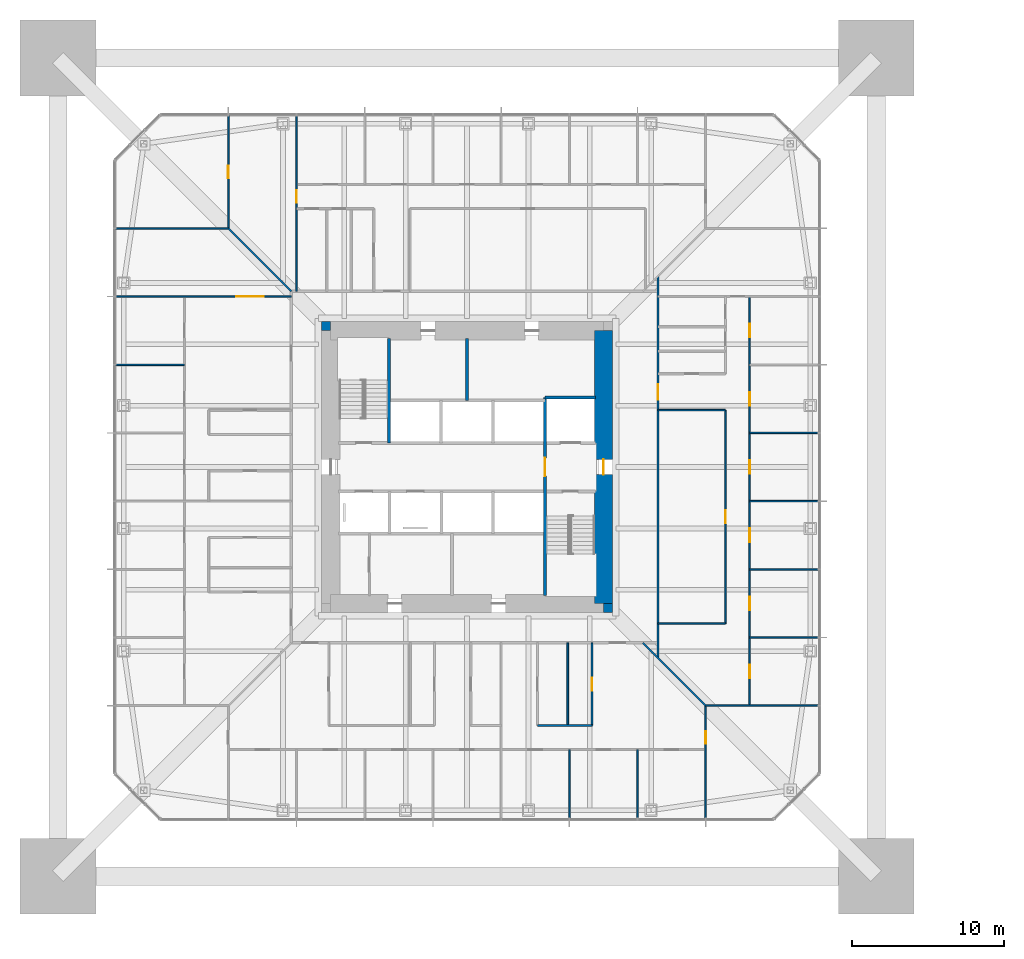
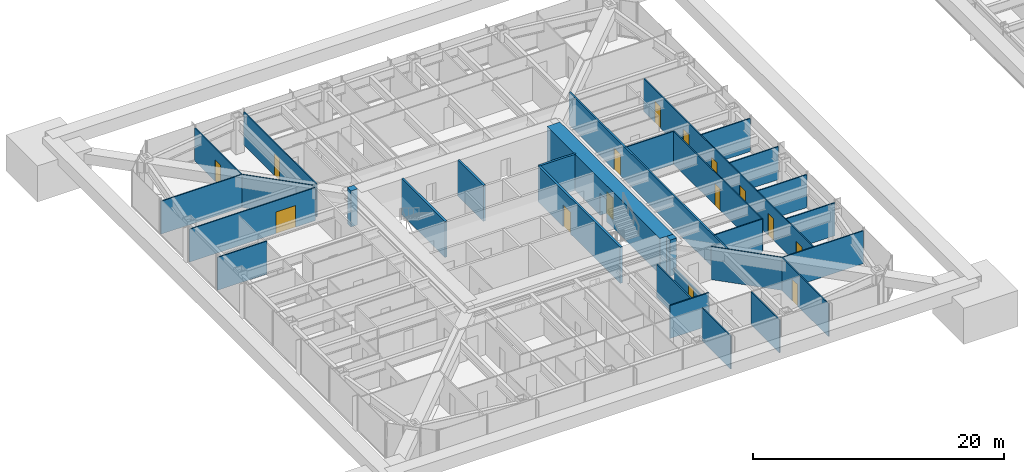
# One storey, part 22 of 32: 30 walls, 15 doors, 15 openings.
"""IFC4 building model written with IfcOpenShell, lengths in metres."""

from ifc_helpers import new_model, si_unit, direction, frame, frame_2d, origin, place, context, subcontext, project, spatial, rectangle, extrude, material, layer, layer_set, type_object, element, fill, save


model = new_model("IFC4")

# Units and contexts
model_context = context("Model", 3, precision=1e-05, world=origin(), true_north=direction((0.0, 1.0)))
body_context = subcontext(model_context, "Body", "Model", "MODEL_VIEW")
ifc_project = project(units=[si_unit("LENGTHUNIT", "METRE"), si_unit("AREAUNIT", "SQUARE_METRE"), si_unit("VOLUMEUNIT", "CUBIC_METRE"), si_unit("PLANEANGLEUNIT", "RADIAN"), si_unit("MASSUNIT", "GRAM", prefix="KILO")], contexts=[model_context])

# Site, building, storey
site_placement = place(None, origin())
site = spatial("IfcSite", under=ifc_project, at=site_placement, CompositionType="ELEMENT")
building_placement = place(site_placement, origin())
building = spatial("IfcBuilding", under=site, at=building_placement, Name="Iwan Alto Co-Living Towers", CompositionType="ELEMENT")
storey_placement = place(building_placement, frame((0.0, 0.0, 71.0)))
storey = spatial("IfcBuildingStorey", under=building, at=storey_placement, Name="L19", CompositionType="ELEMENT", Elevation=71.0)

# Wall, opening, door
ifc_material_1 = material(Name="Gypsum board")
ifc_layer_1 = layer(ifc_material_1, 0.02490234375, Name="Board", Category="Finish")
ifc_material_2 = material(Name="Steel ASTM A1003 ST33H cold-formed studs", Category="steel")
ifc_layer_2 = layer(ifc_material_2, 0.10009765625, Name="Studs", Category="Framing")
ifc_layer_3 = layer(ifc_material_1, 0.02490234375, Name="Board", Category="Finish")
ifc_layer_set_1 = layer_set([ifc_layer_1, ifc_layer_2, ifc_layer_3], Name="CORRIDOR WALL 150")
wall_type_1 = type_object("IfcWallType", Name="CORRIDOR WALL 150", PredefinedType="PARTITIONING", material=ifc_layer_set_1)
wall_1_placement = place(storey_placement, frame((12.60009765625, -12.60009765625, 0.0), z_axis=(0.0, 0.0, 1.0), x_axis=(0.0, 1.0, 0.0)))
wall_1 = element("IfcWall", 1, at=wall_1_placement, inside=storey, type_object=wall_type_1, Name="Partition L19", PredefinedType="PARTITIONING", context=body_context, shape_type="SweptSolid", body=[
    extrude(rectangle(XDim=25.2001953125, YDim=0.14990234375, at=frame_2d((12.60009765625, 0.0))), origin(), (0.0, 0.0, 1.0), 3.199951171875),
])
opening_1_placement = place(wall_1_placement, frame((17.050048828125, 0.0, 0.0)))
opening_1 = element("IfcOpeningElement", 2, at=opening_1_placement, cuts=wall_1, Name="Opening D3", PredefinedType="OPENING", context=body_context, shape_type="SweptSolid", body=[
    extrude(rectangle(XDim=1.0, YDim=2.10009765625, at=frame_2d((0.5, 1.050048828125))), frame((0.0, 0.0849609375, 0.0), z_axis=(0.0, -1.0, 0.0), x_axis=(1.0, 0.0, 0.0)), (0.0, 0.0, 1.0), 0.169921875),
])
ifc_material_3 = material(Name="Steel frame with timber leaf", Category="steel")
door_type_1 = type_object("IfcDoorType", Name="FLAT ENTRANCE DOOR FD30S 1000X2100", OperationType="SINGLE_SWING_LEFT", PredefinedType="DOOR", material=ifc_material_3)
door_1_placement = place(opening_1_placement, frame((1.0, 0.0, 0.0), z_axis=(0.0, 0.0, 1.0), x_axis=(-1.0, 0.0, 0.0)))
door_1 = element("IfcDoor", 3, at=door_1_placement, inside=storey, type_object=door_type_1, Name="Cluster lounge and shared kitchen door L19", OperationType="SINGLE_SWING_RIGHT", OverallHeight=2.10009765625, OverallWidth=1.0, PredefinedType="DOOR", context=body_context, shape_type="SweptSolid", body=[
    extrude(rectangle(XDim=1.0, YDim=2.10009765625, at=frame_2d((0.5, 1.050048828125))), frame((0.0, 0.02490234375, 0.0), z_axis=(0.0, -1.0, 0.0), x_axis=(1.0, 0.0, 0.0)), (0.0, 0.0, 1.0), 0.050048828125),
])
fill(opening_1, door_1)

# Walls
ifc_layer_4 = layer(ifc_material_1, 0.012451171875, Name="Board", Category="Finish")
ifc_layer_5 = layer(ifc_material_2, 0.074951171875, Name="Studs", Category="Framing")
ifc_layer_6 = layer(ifc_material_1, 0.012451171875, Name="Board", Category="Finish")
ifc_layer_set_2 = layer_set([ifc_layer_4, ifc_layer_5, ifc_layer_6], Name="PARTITION 100")
wall_type_2 = type_object("IfcWallType", Name="PARTITION 100", PredefinedType="PARTITIONING", material=ifc_layer_set_2)
wall_2_placement = place(storey_placement, frame((15.75, -15.75, 0.0), z_axis=(0.0, 0.0, 1.0), x_axis=(1.0, 0.0, 0.0)))
element("IfcWall", 4, at=wall_2_placement, inside=storey, type_object=wall_type_2, Name="Partition L19", PredefinedType="PARTITIONING", context=body_context, shape_type="SweptSolid", body=[
    extrude(rectangle(XDim=7.43994140625, YDim=0.10009765625, at=frame_2d((3.719970703125, 0.0))), origin(), (0.0, 0.0, 1.0), 3.199951171875),
])
wall_3_placement = place(storey_placement, frame((18.64990234375, -11.25, 0.0), z_axis=(0.0, 0.0, 1.0), x_axis=(1.0, 0.0, 0.0)))
element("IfcWall", 5, at=wall_3_placement, inside=storey, type_object=wall_type_2, Name="Partition L19", PredefinedType="PARTITIONING", context=body_context, shape_type="SweptSolid", body=[
    extrude(rectangle(XDim=4.5400390625, YDim=0.10009765625, at=frame_2d((2.27001953125, 0.0))), origin(), (0.0, 0.0, 1.0), 3.199951171875),
])
wall_4_placement = place(storey_placement, frame((12.60009765625, -10.330078125, 0.0), z_axis=(0.0, 0.0, 1.0), x_axis=(1.0, 0.0, 0.0)))
element("IfcWall", 6, at=wall_4_placement, inside=storey, type_object=wall_type_2, Name="Partition L19", PredefinedType="PARTITIONING", context=body_context, shape_type="SweptSolid", body=[
    extrude(rectangle(XDim=4.449951171875, YDim=0.10009765625, at=frame_2d((2.22509765625, 0.0))), origin(), (0.0, 0.0, 1.0), 3.199951171875),
])
for number, where, z_axis, x_axis, name in (
    (7, (18.64990234375, -6.75, 0.0), (0.0, 0.0, 1.0), (1.0, 0.0, 0.0), "Partition L19"),
    (8, (18.64990234375, -2.25, 0.0), (0.0, 0.0, 1.0), (1.0, 0.0, 0.0), "Partition L19"),
    (9, (18.64990234375, 2.25, 0.0), (0.0, 0.0, 1.0), (1.0, 0.0, 0.0), "Partition L19"),
):
    element("IfcWall", number, at=place(storey_placement, frame(where, z_axis=z_axis, x_axis=x_axis)), inside=storey, type_object=wall_type_2, Name=name, PredefinedType="PARTITIONING", context=body_context, shape_type="SweptSolid", body=[
        extrude(rectangle(XDim=4.5400390625, YDim=0.10009765625, at=frame_2d((2.27001953125, 0.0))), origin(), (0.0, 0.0, 1.0), 3.199951171875),
    ])
wall_5_placement = place(storey_placement, frame((12.60009765625, 3.75, 0.0), z_axis=(0.0, 0.0, 1.0), x_axis=(1.0, 0.0, 0.0)))
element("IfcWall", 10, at=wall_5_placement, inside=storey, type_object=wall_type_2, Name="Partition L19", PredefinedType="PARTITIONING", context=body_context, shape_type="SweptSolid", body=[
    extrude(rectangle(XDim=4.449951171875, YDim=0.10009765625, at=frame_2d((2.22509765625, 0.0))), origin(), (0.0, 0.0, 1.0), 3.199951171875),
])
wall_6_placement = place(storey_placement, frame((-23.18994140625, 6.75, 0.0), z_axis=(0.0, 0.0, 1.0), x_axis=(1.0, 0.0, 0.0)))
element("IfcWall", 11, at=wall_6_placement, inside=storey, type_object=wall_type_2, Name="Partition L19", PredefinedType="PARTITIONING", context=body_context, shape_type="SweptSolid", body=[
    extrude(rectangle(XDim=4.5400390625, YDim=0.10009765625, at=frame_2d((2.27001953125, 0.0))), origin(), (0.0, 0.0, 1.0), 3.199951171875),
])

# Wall, opening, door
wall_7_placement = place(storey_placement, frame((-23.18994140625, 11.25, 0.0), z_axis=(0.0, 0.0, 1.0), x_axis=(1.0, 0.0, 0.0)))
wall_7 = element("IfcWall", 12, at=wall_7_placement, inside=storey, type_object=wall_type_2, Name="Partition L19", PredefinedType="PARTITIONING", context=body_context, shape_type="SweptSolid", body=[
    extrude(rectangle(XDim=11.58984375, YDim=0.10009765625, at=frame_2d((5.794921875, 0.0))), origin(), (0.0, 0.0, 1.0), 3.199951171875),
])
opening_2_placement = place(wall_7_placement, frame((7.965087890625, 0.0, 0.0)))
opening_2 = element("IfcOpeningElement", 13, at=opening_2_placement, cuts=wall_7, Name="Opening D14", PredefinedType="OPENING", context=body_context, shape_type="SweptSolid", body=[
    extrude(rectangle(XDim=1.800048828125, YDim=2.10009765625, at=frame_2d((0.89990234375, 1.050048828125))), frame((0.0, 0.06005859375, 0.0), z_axis=(0.0, -1.0, 0.0), x_axis=(1.0, 0.0, 0.0)), (0.0, 0.0, 1.0), 0.1201171875),
])
ifc_material_4 = material(Name="Timber leaf in steel frame", Category="steel")
door_type_2 = type_object("IfcDoorType", Name="LOUNGE DOOR 1800X2100", OperationType="DOUBLE_DOOR_SINGLE_SWING", PredefinedType="DOOR", material=ifc_material_4)
door_2_placement = place(opening_2_placement, frame((1.800048828125, 0.0, 0.0), z_axis=(0.0, 0.0, 1.0), x_axis=(-1.0, 0.0, 0.0)))
door_2 = element("IfcDoor", 14, at=door_2_placement, inside=storey, type_object=door_type_2, Name="Seminar room door L19", OperationType="DOUBLE_DOOR_SINGLE_SWING", OverallHeight=2.10009765625, OverallWidth=1.800048828125, PredefinedType="DOOR", context=body_context, shape_type="SweptSolid", body=[
    extrude(rectangle(XDim=1.800048828125, YDim=2.10009765625, at=frame_2d((0.89990234375, 1.050048828125))), frame((0.0, 0.02490234375, 0.0), z_axis=(0.0, -1.0, 0.0), x_axis=(1.0, 0.0, 0.0)), (0.0, 0.0, 1.0), 0.050048828125),
])
fill(opening_2, door_2)

# Wall
wall_8_placement = place(storey_placement, frame((-23.18994140625, 15.75, 0.0), z_axis=(0.0, 0.0, 1.0), x_axis=(1.0, 0.0, 0.0)))
element("IfcWall", 15, at=wall_8_placement, inside=storey, type_object=wall_type_2, Name="Partition L19", PredefinedType="PARTITIONING", context=body_context, shape_type="SweptSolid", body=[
    extrude(rectangle(XDim=7.43994140625, YDim=0.10009765625, at=frame_2d((3.719970703125, 0.0))), origin(), (0.0, 0.0, 1.0), 3.199951171875),
])

# Wall, openings, doors
wall_9_placement = place(storey_placement, frame((18.64990234375, -15.75, 0.0), z_axis=(0.0, 0.0, 1.0), x_axis=(0.0, 1.0, 0.0)))
wall_9 = element("IfcWall", 16, at=wall_9_placement, inside=storey, type_object=wall_type_2, Name="Partition L19", PredefinedType="PARTITIONING", context=body_context, shape_type="SweptSolid", body=[
    extrude(rectangle(XDim=27.0, YDim=0.10009765625, at=frame_2d((13.5, 0.0))), origin(), (0.0, 0.0, 1.0), 3.199951171875),
])
opening_3_placement = place(wall_9_placement, frame((1.800048828125, 0.0, 0.0)))
opening_3 = element("IfcOpeningElement", 17, at=opening_3_placement, cuts=wall_9, Name="Opening D1", PredefinedType="OPENING", context=body_context, shape_type="SweptSolid", body=[
    extrude(rectangle(XDim=0.89990234375, YDim=2.10009765625, at=frame_2d((0.449951171875, 1.050048828125))), frame((0.0, 0.06005859375, 0.0), z_axis=(0.0, -1.0, 0.0), x_axis=(1.0, 0.0, 0.0)), (0.0, 0.0, 1.0), 0.1201171875),
])
opening_4_placement = place(wall_9_placement, frame((6.300048828125, 0.0, 0.0)))
opening_4 = element("IfcOpeningElement", 18, at=opening_4_placement, cuts=wall_9, Name="Opening D1", PredefinedType="OPENING", context=body_context, shape_type="SweptSolid", body=[
    extrude(rectangle(XDim=0.89990234375, YDim=2.10009765625, at=frame_2d((0.449951171875, 1.050048828125))), frame((0.0, 0.06005859375, 0.0), z_axis=(0.0, -1.0, 0.0), x_axis=(1.0, 0.0, 0.0)), (0.0, 0.0, 1.0), 0.1201171875),
])
opening_5_placement = place(wall_9_placement, frame((10.800048828125, 0.0, 0.0)))
opening_5 = element("IfcOpeningElement", 19, at=opening_5_placement, cuts=wall_9, Name="Opening D1", PredefinedType="OPENING", context=body_context, shape_type="SweptSolid", body=[
    extrude(rectangle(XDim=0.89990234375, YDim=2.10009765625, at=frame_2d((0.449951171875, 1.050048828125))), frame((0.0, 0.06005859375, 0.0), z_axis=(0.0, -1.0, 0.0), x_axis=(1.0, 0.0, 0.0)), (0.0, 0.0, 1.0), 0.1201171875),
])
opening_6_placement = place(wall_9_placement, frame((15.300048828125, 0.0, 0.0)))
opening_6 = element("IfcOpeningElement", 20, at=opening_6_placement, cuts=wall_9, Name="Opening D1", PredefinedType="OPENING", context=body_context, shape_type="SweptSolid", body=[
    extrude(rectangle(XDim=0.89990234375, YDim=2.10009765625, at=frame_2d((0.449951171875, 1.050048828125))), frame((0.0, 0.06005859375, 0.0), z_axis=(0.0, -1.0, 0.0), x_axis=(1.0, 0.0, 0.0)), (0.0, 0.0, 1.0), 0.1201171875),
])
opening_7_placement = place(wall_9_placement, frame((19.800048828125, 0.0, 0.0)))
opening_7 = element("IfcOpeningElement", 21, at=opening_7_placement, cuts=wall_9, Name="Opening D1", PredefinedType="OPENING", context=body_context, shape_type="SweptSolid", body=[
    extrude(rectangle(XDim=0.89990234375, YDim=2.10009765625, at=frame_2d((0.449951171875, 1.050048828125))), frame((0.0, 0.06005859375, 0.0), z_axis=(0.0, -1.0, 0.0), x_axis=(1.0, 0.0, 0.0)), (0.0, 0.0, 1.0), 0.1201171875),
])
opening_8_placement = place(wall_9_placement, frame((24.300048828125, 0.0, 0.0)))
opening_8 = element("IfcOpeningElement", 22, at=opening_8_placement, cuts=wall_9, Name="Opening D1", PredefinedType="OPENING", context=body_context, shape_type="SweptSolid", body=[
    extrude(rectangle(XDim=0.89990234375, YDim=2.10009765625, at=frame_2d((0.449951171875, 1.050048828125))), frame((0.0, 0.06005859375, 0.0), z_axis=(0.0, -1.0, 0.0), x_axis=(1.0, 0.0, 0.0)), (0.0, 0.0, 1.0), 0.1201171875),
])
ifc_material_5 = material(Name="Timber leaf in steel frame", Category="steel")
door_type_3 = type_object("IfcDoorType", Name="BEDROOM DOOR 900X2100", OperationType="SINGLE_SWING_LEFT", PredefinedType="DOOR", material=ifc_material_5)
door_3_placement = place(opening_3_placement, origin())
door_3 = element("IfcDoor", 23, at=door_3_placement, inside=storey, type_object=door_type_3, Name="Study bedroom door L19", OperationType="SINGLE_SWING_LEFT", OverallHeight=2.10009765625, OverallWidth=0.89990234375, PredefinedType="DOOR", context=body_context, shape_type="SweptSolid", body=[
    extrude(rectangle(XDim=0.89990234375, YDim=2.10009765625, at=frame_2d((0.449951171875, 1.050048828125))), frame((0.0, 0.02490234375, 0.0), z_axis=(0.0, -1.0, 0.0), x_axis=(1.0, 0.0, 0.0)), (0.0, 0.0, 1.0), 0.050048828125),
])
fill(opening_3, door_3)
door_4_placement = place(opening_4_placement, origin())
door_4 = element("IfcDoor", 24, at=door_4_placement, inside=storey, type_object=door_type_3, Name="Study bedroom door L19", OperationType="SINGLE_SWING_LEFT", OverallHeight=2.10009765625, OverallWidth=0.89990234375, PredefinedType="DOOR", context=body_context, shape_type="SweptSolid", body=[
    extrude(rectangle(XDim=0.89990234375, YDim=2.10009765625, at=frame_2d((0.449951171875, 1.050048828125))), frame((0.0, 0.02490234375, 0.0), z_axis=(0.0, -1.0, 0.0), x_axis=(1.0, 0.0, 0.0)), (0.0, 0.0, 1.0), 0.050048828125),
])
fill(opening_4, door_4)
door_5_placement = place(opening_5_placement, origin())
door_5 = element("IfcDoor", 25, at=door_5_placement, inside=storey, type_object=door_type_3, Name="Study bedroom door L19", OperationType="SINGLE_SWING_LEFT", OverallHeight=2.10009765625, OverallWidth=0.89990234375, PredefinedType="DOOR", context=body_context, shape_type="SweptSolid", body=[
    extrude(rectangle(XDim=0.89990234375, YDim=2.10009765625, at=frame_2d((0.449951171875, 1.050048828125))), frame((0.0, 0.02490234375, 0.0), z_axis=(0.0, -1.0, 0.0), x_axis=(1.0, 0.0, 0.0)), (0.0, 0.0, 1.0), 0.050048828125),
])
fill(opening_5, door_5)
door_6_placement = place(opening_6_placement, origin())
door_6 = element("IfcDoor", 26, at=door_6_placement, inside=storey, type_object=door_type_3, Name="Study bedroom door L19", OperationType="SINGLE_SWING_RIGHT", OverallHeight=2.10009765625, OverallWidth=0.89990234375, PredefinedType="DOOR", context=body_context, shape_type="SweptSolid", body=[
    extrude(rectangle(XDim=0.89990234375, YDim=2.10009765625, at=frame_2d((0.449951171875, 1.050048828125))), frame((0.0, 0.02490234375, 0.0), z_axis=(0.0, -1.0, 0.0), x_axis=(1.0, 0.0, 0.0)), (0.0, 0.0, 1.0), 0.050048828125),
])
fill(opening_6, door_6)
door_7_placement = place(opening_7_placement, origin())
door_7 = element("IfcDoor", 27, at=door_7_placement, inside=storey, type_object=door_type_3, Name="Study bedroom door L19", OperationType="SINGLE_SWING_RIGHT", OverallHeight=2.10009765625, OverallWidth=0.89990234375, PredefinedType="DOOR", context=body_context, shape_type="SweptSolid", body=[
    extrude(rectangle(XDim=0.89990234375, YDim=2.10009765625, at=frame_2d((0.449951171875, 1.050048828125))), frame((0.0, 0.02490234375, 0.0), z_axis=(0.0, -1.0, 0.0), x_axis=(1.0, 0.0, 0.0)), (0.0, 0.0, 1.0), 0.050048828125),
])
fill(opening_7, door_7)
door_8_placement = place(opening_8_placement, origin())
door_8 = element("IfcDoor", 28, at=door_8_placement, inside=storey, type_object=door_type_3, Name="Study bedroom door L19", OperationType="SINGLE_SWING_RIGHT", OverallHeight=2.10009765625, OverallWidth=0.89990234375, PredefinedType="DOOR", context=body_context, shape_type="SweptSolid", body=[
    extrude(rectangle(XDim=0.89990234375, YDim=2.10009765625, at=frame_2d((0.449951171875, 1.050048828125))), frame((0.0, 0.02490234375, 0.0), z_axis=(0.0, -1.0, 0.0), x_axis=(1.0, 0.0, 0.0)), (0.0, 0.0, 1.0), 0.050048828125),
])
fill(opening_8, door_8)

# Wall, opening, door
wall_10_placement = place(storey_placement, frame((17.050048828125, -10.330078125, 0.0), z_axis=(0.0, 0.0, 1.0), x_axis=(0.0, 1.0, 0.0)))
wall_10 = element("IfcWall", 29, at=wall_10_placement, inside=storey, type_object=wall_type_2, Name="Partition L19", PredefinedType="PARTITIONING", context=body_context, shape_type="SweptSolid", body=[
    extrude(rectangle(XDim=14.080078125, YDim=0.10009765625, at=frame_2d((7.0400390625, 0.0))), origin(), (0.0, 0.0, 1.0), 3.199951171875),
])
opening_9_placement = place(wall_10_placement, frame((6.614990234375, 0.0, 0.0)))
opening_9 = element("IfcOpeningElement", 30, at=opening_9_placement, cuts=wall_10, Name="Opening D2", PredefinedType="OPENING", context=body_context, shape_type="SweptSolid", body=[
    extrude(rectangle(XDim=0.85009765625, YDim=2.10009765625, at=frame_2d((0.425048828125, 1.050048828125))), frame((0.0, 0.06005859375, 0.0), z_axis=(0.0, -1.0, 0.0), x_axis=(1.0, 0.0, 0.0)), (0.0, 0.0, 1.0), 0.1201171875),
])
ifc_material_6 = material(Name="Timber leaf in steel frame", Category="steel")
door_type_4 = type_object("IfcDoorType", Name="ROOM DOOR 850X2100", OperationType="SINGLE_SWING_LEFT", PredefinedType="DOOR", material=ifc_material_6)
door_9_placement = place(opening_9_placement, frame((0.85009765625, 0.0, 0.0), z_axis=(0.0, 0.0, 1.0), x_axis=(-1.0, 0.0, 0.0)))
door_9 = element("IfcDoor", 31, at=door_9_placement, inside=storey, type_object=door_type_4, Name="Study lounge door L19", OperationType="SINGLE_SWING_RIGHT", OverallHeight=2.10009765625, OverallWidth=0.85009765625, PredefinedType="DOOR", context=body_context, shape_type="SweptSolid", body=[
    extrude(rectangle(XDim=0.85009765625, YDim=2.10009765625, at=frame_2d((0.425048828125, 1.050048828125))), frame((0.0, 0.02490234375, 0.0), z_axis=(0.0, -1.0, 0.0), x_axis=(1.0, 0.0, 0.0)), (0.0, 0.0, 1.0), 0.050048828125),
])
fill(opening_9, door_9)

wall_11_placement = place(storey_placement, frame((15.75, -23.18994140625, 0.0), z_axis=(0.0, 0.0, 1.0), x_axis=(0.0, 1.0, 0.0)))
wall_11 = element("IfcWall", 32, at=wall_11_placement, inside=storey, type_object=wall_type_2, Name="Partition L19", PredefinedType="PARTITIONING", context=body_context, shape_type="SweptSolid", body=[
    extrude(rectangle(XDim=7.43994140625, YDim=0.10009765625, at=frame_2d((3.719970703125, 0.0))), origin(), (0.0, 0.0, 1.0), 3.199951171875),
])
opening_10_placement = place(wall_11_placement, frame((4.9150390625, 0.0, 0.0)))
opening_10 = element("IfcOpeningElement", 33, at=opening_10_placement, cuts=wall_11, Name="Opening D2", PredefinedType="OPENING", context=body_context, shape_type="SweptSolid", body=[
    extrude(rectangle(XDim=0.85009765625, YDim=2.10009765625, at=frame_2d((0.425048828125, 1.050048828125))), frame((0.0, 0.06005859375, 0.0), z_axis=(0.0, -1.0, 0.0), x_axis=(1.0, 0.0, 0.0)), (0.0, 0.0, 1.0), 0.1201171875),
])
door_10_placement = place(opening_10_placement, origin())
door_10 = element("IfcDoor", 34, at=door_10_placement, inside=storey, type_object=door_type_4, Name="Shared kitchen and dining room door L19", OperationType="SINGLE_SWING_LEFT", OverallHeight=2.10009765625, OverallWidth=0.85009765625, PredefinedType="DOOR", context=body_context, shape_type="SweptSolid", body=[
    extrude(rectangle(XDim=0.85009765625, YDim=2.10009765625, at=frame_2d((0.425048828125, 1.050048828125))), frame((0.0, 0.02490234375, 0.0), z_axis=(0.0, -1.0, 0.0), x_axis=(1.0, 0.0, 0.0)), (0.0, 0.0, 1.0), 0.050048828125),
])
fill(opening_10, door_10)

# Walls
for number, where, z_axis, x_axis, name in (
    (35, (11.25, -23.18994140625, 0.0), (0.0, 0.0, 1.0), (0.0, 1.0, 0.0), "Partition L19"),
    (36, (6.75, -23.18994140625, 0.0), (0.0, 0.0, 1.0), (0.0, 1.0, 0.0), "Partition L19"),
):
    element("IfcWall", number, at=place(storey_placement, frame(where, z_axis=z_axis, x_axis=x_axis)), inside=storey, type_object=wall_type_2, Name=name, PredefinedType="PARTITIONING", context=body_context, shape_type="SweptSolid", body=[
        extrude(rectangle(XDim=4.5400390625, YDim=0.10009765625, at=frame_2d((2.27001953125, 0.0))), origin(), (0.0, 0.0, 1.0), 3.199951171875),
    ])

# Wall, opening, door
wall_12_placement = place(storey_placement, frame((-11.25, 11.60009765625, 0.0), z_axis=(0.0, 0.0, 1.0), x_axis=(0.0, 1.0, 0.0)))
wall_12 = element("IfcWall", 37, at=wall_12_placement, inside=storey, type_object=wall_type_2, Name="Partition L19", PredefinedType="PARTITIONING", context=body_context, shape_type="SweptSolid", body=[
    extrude(rectangle(XDim=11.58984375, YDim=0.10009765625, at=frame_2d((5.794921875, 0.0))), origin(), (0.0, 0.0, 1.0), 3.199951171875),
])
opening_11_placement = place(wall_12_placement, frame((5.824951171875, 0.0, 0.0)))
opening_11 = element("IfcOpeningElement", 38, at=opening_11_placement, cuts=wall_12, Name="Opening D2", PredefinedType="OPENING", context=body_context, shape_type="SweptSolid", body=[
    extrude(rectangle(XDim=0.85009765625, YDim=2.10009765625, at=frame_2d((0.425048828125, 1.050048828125))), frame((0.0, 0.06005859375, 0.0), z_axis=(0.0, -1.0, 0.0), x_axis=(1.0, 0.0, 0.0)), (0.0, 0.0, 1.0), 0.1201171875),
])
door_11_placement = place(opening_11_placement, frame((0.85009765625, 0.0, 0.0), z_axis=(0.0, 0.0, 1.0), x_axis=(-1.0, 0.0, 0.0)))
door_11 = element("IfcDoor", 39, at=door_11_placement, inside=storey, type_object=door_type_4, Name="Seminar room door L19", OperationType="SINGLE_SWING_RIGHT", OverallHeight=2.10009765625, OverallWidth=0.85009765625, PredefinedType="DOOR", context=body_context, shape_type="SweptSolid", body=[
    extrude(rectangle(XDim=0.85009765625, YDim=2.10009765625, at=frame_2d((0.425048828125, 1.050048828125))), frame((0.0, 0.02490234375, 0.0), z_axis=(0.0, -1.0, 0.0), x_axis=(1.0, 0.0, 0.0)), (0.0, 0.0, 1.0), 0.050048828125),
])
fill(opening_11, door_11)

wall_13_placement = place(storey_placement, frame((-15.75, 15.75, 0.0), z_axis=(0.0, 0.0, 1.0), x_axis=(0.0, 1.0, 0.0)))
wall_13 = element("IfcWall", 40, at=wall_13_placement, inside=storey, type_object=wall_type_2, Name="Partition L19", PredefinedType="PARTITIONING", context=body_context, shape_type="SweptSolid", body=[
    extrude(rectangle(XDim=7.43994140625, YDim=0.10009765625, at=frame_2d((3.719970703125, 0.0))), origin(), (0.0, 0.0, 1.0), 3.199951171875),
])
opening_12_placement = place(wall_13_placement, frame((3.294921875, 0.0, 0.0)))
opening_12 = element("IfcOpeningElement", 41, at=opening_12_placement, cuts=wall_13, Name="Opening D2", PredefinedType="OPENING", context=body_context, shape_type="SweptSolid", body=[
    extrude(rectangle(XDim=0.85009765625, YDim=2.10009765625, at=frame_2d((0.425048828125, 1.050048828125))), frame((0.0, 0.06005859375, 0.0), z_axis=(0.0, -1.0, 0.0), x_axis=(1.0, 0.0, 0.0)), (0.0, 0.0, 1.0), 0.1201171875),
])
door_12_placement = place(opening_12_placement, origin())
door_12 = element("IfcDoor", 42, at=door_12_placement, inside=storey, type_object=door_type_4, Name="Shared kitchen and dining room door L19", OperationType="SINGLE_SWING_LEFT", OverallHeight=2.10009765625, OverallWidth=0.85009765625, PredefinedType="DOOR", context=body_context, shape_type="SweptSolid", body=[
    extrude(rectangle(XDim=0.85009765625, YDim=2.10009765625, at=frame_2d((0.425048828125, 1.050048828125))), frame((0.0, 0.02490234375, 0.0), z_axis=(0.0, -1.0, 0.0), x_axis=(1.0, 0.0, 0.0)), (0.0, 0.0, 1.0), 0.050048828125),
])
fill(opening_12, door_12)

# Walls
for number, where, z_axis, x_axis, name in (
    (43, (15.75, -15.75, 0.0), (0.0, 0.0, 1.0), (-0.707106781187, 0.707106781187, 0.0), "Partition L19"),
    (44, (-11.60009765625, 11.60009765625, 0.0), (0.0, 0.0, 1.0), (-0.707106781187, 0.707106781187, 0.0), "Partition L19"),
):
    element("IfcWall", number, at=place(storey_placement, frame(where, z_axis=z_axis, x_axis=x_axis)), inside=storey, type_object=wall_type_2, Name=name, PredefinedType="PARTITIONING", context=body_context, shape_type="SweptSolid", body=[
        extrude(rectangle(XDim=5.868896484375, YDim=0.10009765625, at=frame_2d((2.9345703125, 0.0))), origin(), (0.0, 0.0, 1.0), 3.199951171875),
    ])
ifc_material_7 = material(Name="Concrete f'c 70 MPa", Category="concrete")
ifc_layer_7 = layer(ifc_material_7, 0.199951171875)
ifc_layer_set_3 = layer_set([ifc_layer_7], Name="SHAFT WALL 200")
wall_type_3 = type_object("IfcWallType", Name="SHAFT WALL 200", PredefinedType="SOLIDWALL", material=ifc_layer_set_3)
wall_14_placement = place(storey_placement, frame((5.14990234375, 4.60009765625, 0.0), z_axis=(0.0, 0.0, 1.0), x_axis=(1.0, 0.0, 0.0)))
element("IfcWall", 45, at=wall_14_placement, inside=storey, type_object=wall_type_3, Name="Shaft wall L19", PredefinedType="SOLIDWALL", context=body_context, shape_type="SweptSolid", body=[
    extrude(rectangle(XDim=3.340087890625, YDim=0.199951171875, at=frame_2d((1.669921875, 0.0))), origin(), (0.0, 0.0, 1.0), 3.5),
])

# Wall, opening, door
wall_15_placement = place(storey_placement, frame((5.14990234375, -8.489990234375, 0.0), z_axis=(0.0, 0.0, 1.0), x_axis=(0.0, 1.0, 0.0)))
wall_15 = element("IfcWall", 46, at=wall_15_placement, inside=storey, type_object=wall_type_3, Name="Shaft wall L19", PredefinedType="SOLIDWALL", context=body_context, shape_type="SweptSolid", body=[
    extrude(rectangle(XDim=13.090087890625, YDim=0.199951171875, at=frame_2d((6.544921875, 0.0))), origin(), (0.0, 0.0, 1.0), 3.5),
])
opening_13_placement = place(wall_15_placement, frame((7.889892578125, 0.0, 0.0)))
opening_13 = element("IfcOpeningElement", 47, at=opening_13_placement, cuts=wall_15, Name="Opening D6", PredefinedType="OPENING", context=body_context, shape_type="SweptSolid", body=[
    extrude(rectangle(XDim=1.199951171875, YDim=2.10009765625, at=frame_2d((0.60009765625, 1.050048828125))), frame((0.0, 0.10986328125, 0.0), z_axis=(0.0, -1.0, 0.0), x_axis=(1.0, 0.0, 0.0)), (0.0, 0.0, 1.0), 0.219970703125),
])
ifc_material_8 = material(Name="Steel frame with timber leaf", Category="steel")
door_type_5 = type_object("IfcDoorType", Name="LOBBY DOOR FD120S 1200X2100", OperationType="SINGLE_SWING_LEFT", PredefinedType="DOOR", material=ifc_material_8)
door_13_placement = place(opening_13_placement, frame((1.199951171875, 0.0, 0.0), z_axis=(0.0, 0.0, 1.0), x_axis=(-1.0, 0.0, 0.0)))
door_13 = element("IfcDoor", 48, at=door_13_placement, inside=storey, type_object=door_type_5, Name="Firefighting lobby door L19", OperationType="SINGLE_SWING_RIGHT", OverallHeight=2.10009765625, OverallWidth=1.199951171875, PredefinedType="DOOR", context=body_context, shape_type="SweptSolid", body=[
    extrude(rectangle(XDim=1.199951171875, YDim=2.10009765625, at=frame_2d((0.60009765625, 1.050048828125))), frame((0.0, 0.02490234375, 0.0), z_axis=(0.0, -1.0, 0.0), x_axis=(1.0, 0.0, 0.0)), (0.0, 0.0, 1.0), 0.050048828125),
])
fill(opening_13, door_13)

# Walls
wall_16_placement = place(storey_placement, frame((0.0, 4.39990234375, 0.0), z_axis=(0.0, 0.0, 1.0), x_axis=(0.0, 1.0, 0.0)))
element("IfcWall", 49, at=wall_16_placement, inside=storey, type_object=wall_type_3, Name="Shaft wall L19", PredefinedType="SOLIDWALL", context=body_context, shape_type="SweptSolid", body=[
    extrude(rectangle(XDim=4.090087890625, YDim=0.199951171875, at=frame_2d((2.044921875, 0.0))), origin(), (0.0, 0.0, 1.0), 3.5),
])
wall_17_placement = place(storey_placement, frame((-5.14990234375, 1.60009765625, 0.0), z_axis=(0.0, 0.0, 1.0), x_axis=(0.0, 1.0, 0.0)))
element("IfcWall", 50, at=wall_17_placement, inside=storey, type_object=wall_type_3, Name="Shaft wall L19", PredefinedType="SOLIDWALL", context=body_context, shape_type="SweptSolid", body=[
    extrude(rectangle(XDim=6.889892578125, YDim=0.199951171875, at=frame_2d((3.44482421875, 0.0))), origin(), (0.0, 0.0, 1.0), 3.5),
])
ifc_material_9 = material(Name="Concrete f'c 70 MPa", Category="concrete")
ifc_layer_8 = layer(ifc_material_9, 0.60009765625)
ifc_layer_set_4 = layer_set([ifc_layer_8], Name="T1 CORE CORNER FILL 600")
wall_type_4 = type_object("IfcWallType", Name="T1 CORE CORNER FILL 600", PredefinedType="SOLIDWALL", material=ifc_layer_set_4)
for number, where, z_axis, x_axis, name in (
    (51, (9.0, -9.300048828125, 0.0), (0.0, 0.0, 1.0), (1.0, 0.0, 0.0), "T1 core corner SE L19"),
    (52, (-9.60009765625, 9.300048828125, 0.0), (0.0, 0.0, 1.0), (1.0, 0.0, 0.0), "T1 core corner NW L19"),
):
    element("IfcWall", number, at=place(storey_placement, frame(where, z_axis=z_axis, x_axis=x_axis)), inside=storey, type_object=wall_type_4, Name=name, PredefinedType="SOLIDWALL", context=body_context, shape_type="SweptSolid", body=[
        extrude(rectangle(XDim=0.60009765625, YDim=0.60009765625, at=frame_2d((0.300048828125, 0.0))), origin(), (0.0, 0.0, 1.0), 3.5),
    ])

# Wall, opening, door
ifc_material_10 = material(Name="Concrete f'c 70 MPa", Category="concrete")
ifc_layer_9 = layer(ifc_material_10, 1.199951171875)
ifc_layer_set_5 = layer_set([ifc_layer_9], Name="T1 CORE WALL 1200")
wall_type_5 = type_object("IfcWallType", Name="T1 CORE WALL 1200", PredefinedType="SHEAR", material=ifc_layer_set_5)
wall_18_placement = place(storey_placement, frame((9.0, -9.0, 0.0), z_axis=(0.0, 0.0, 1.0), x_axis=(0.0, 1.0, 0.0)))
wall_18 = element("IfcWall", 53, at=wall_18_placement, inside=storey, type_object=wall_type_5, Name="T1 core wall E L19", PredefinedType="SHEAR", context=body_context, shape_type="SweptSolid", body=[
    extrude(rectangle(XDim=18.0, YDim=1.199951171875, at=frame_2d((9.0, 0.0))), origin(), (0.0, 0.0, 1.0), 3.5),
])
opening_14_placement = place(wall_18_placement, frame((8.5, 0.0, 0.0)))
opening_14 = element("IfcOpeningElement", 54, at=opening_14_placement, cuts=wall_18, Name="Opening D7", PredefinedType="OPENING", context=body_context, shape_type="SweptSolid", body=[
    extrude(rectangle(XDim=1.0, YDim=2.10009765625, at=frame_2d((0.5, 1.050048828125))), frame((0.0, 0.60986328125, 0.0), z_axis=(0.0, -1.0, 0.0), x_axis=(1.0, 0.0, 0.0)), (0.0, 0.0, 1.0), 1.219970703125),
])
ifc_material_11 = material(Name="Steel frame with timber leaf", Category="steel")
door_type_6 = type_object("IfcDoorType", Name="CORE DOOR FD120S 1000X2100", OperationType="SINGLE_SWING_LEFT", PredefinedType="DOOR", material=ifc_material_11)
door_14_placement = place(opening_14_placement, origin())
door_14 = element("IfcDoor", 55, at=door_14_placement, inside=storey, type_object=door_type_6, Name="Firefighting lobby core door L19", OperationType="SINGLE_SWING_LEFT", OverallHeight=2.10009765625, OverallWidth=1.0, PredefinedType="DOOR", context=body_context, shape_type="SweptSolid", body=[
    extrude(rectangle(XDim=1.0, YDim=2.10009765625, at=frame_2d((0.5, 1.050048828125))), frame((0.0, 0.02490234375, 0.0), z_axis=(0.0, -1.0, 0.0), x_axis=(1.0, 0.0, 0.0)), (0.0, 0.0, 1.0), 0.050048828125),
])
fill(opening_14, door_14)

# Wall
ifc_material_12 = material(Name="Cement board")
ifc_layer_10 = layer(ifc_material_12, 0.012451171875, Name="Board", Category="Finish")
ifc_layer_11 = layer(ifc_material_2, 0.094970703125, Name="Studs", Category="Framing")
ifc_layer_12 = layer(ifc_material_12, 0.012451171875, Name="Board", Category="Finish")
ifc_layer_set_6 = layer_set([ifc_layer_10, ifc_layer_11, ifc_layer_12], Name="WET AREA PARTITION 120")
wall_type_6 = type_object("IfcWallType", Name="WET AREA PARTITION 120", PredefinedType="PARTITIONING", material=ifc_layer_set_6)
wall_19_placement = place(storey_placement, frame((4.64990234375, -17.050048828125, 0.0), z_axis=(0.0, 0.0, 1.0), x_axis=(1.0, 0.0, 0.0)))
element("IfcWall", 56, at=wall_19_placement, inside=storey, type_object=wall_type_6, Name="Partition L19", PredefinedType="PARTITIONING", context=body_context, shape_type="SweptSolid", body=[
    extrude(rectangle(XDim=3.60009765625, YDim=0.1201171875, at=frame_2d((1.800048828125, 0.0))), origin(), (0.0, 0.0, 1.0), 3.199951171875),
])

# Wall, opening, door
wall_20_placement = place(storey_placement, frame((8.25, -17.050048828125, 0.0), z_axis=(0.0, 0.0, 1.0), x_axis=(0.0, 1.0, 0.0)))
wall_20 = element("IfcWall", 57, at=wall_20_placement, inside=storey, type_object=wall_type_6, Name="Partition L19", PredefinedType="PARTITIONING", context=body_context, shape_type="SweptSolid", body=[
    extrude(rectangle(XDim=5.449951171875, YDim=0.1201171875, at=frame_2d((2.72509765625, 0.0))), origin(), (0.0, 0.0, 1.0), 2.27294921875),
])
opening_15_placement = place(wall_20_placement, frame((2.300048828125, 0.0, 0.0)))
opening_15 = element("IfcOpeningElement", 58, at=opening_15_placement, cuts=wall_20, Name="Opening D2", PredefinedType="OPENING", context=body_context, shape_type="SweptSolid", body=[
    extrude(rectangle(XDim=0.85009765625, YDim=2.10009765625, at=frame_2d((0.425048828125, 1.050048828125))), frame((0.0, 0.070068359375, 0.0), z_axis=(0.0, -1.0, 0.0), x_axis=(1.0, 0.0, 0.0)), (0.0, 0.0, 1.0), 0.14013671875),
])
door_15_placement = place(opening_15_placement, frame((0.85009765625, 0.0, 0.0), z_axis=(0.0, 0.0, 1.0), x_axis=(-1.0, 0.0, 0.0)))
door_15 = element("IfcDoor", 59, at=door_15_placement, inside=storey, type_object=door_type_4, Name="Accessible bathroom door L19", OperationType="SINGLE_SWING_LEFT", OverallHeight=2.10009765625, OverallWidth=0.85009765625, PredefinedType="DOOR", context=body_context, shape_type="SweptSolid", body=[
    extrude(rectangle(XDim=0.85009765625, YDim=2.10009765625, at=frame_2d((0.425048828125, 1.050048828125))), frame((0.0, 0.02490234375, 0.0), z_axis=(0.0, -1.0, 0.0), x_axis=(1.0, 0.0, 0.0)), (0.0, 0.0, 1.0), 0.050048828125),
])
fill(opening_15, door_15)

# Wall
wall_21_placement = place(storey_placement, frame((6.64990234375, -17.050048828125, 0.0), z_axis=(0.0, 0.0, 1.0), x_axis=(0.0, 1.0, 0.0)))
element("IfcWall", 60, at=wall_21_placement, inside=storey, type_object=wall_type_6, Name="Partition L19", PredefinedType="PARTITIONING", context=body_context, shape_type="SweptSolid", body=[
    extrude(rectangle(XDim=5.449951171875, YDim=0.1201171875, at=frame_2d((2.72509765625, 0.0))), origin(), (0.0, 0.0, 1.0), 3.199951171875),
])

save(model, "model.ifc")
